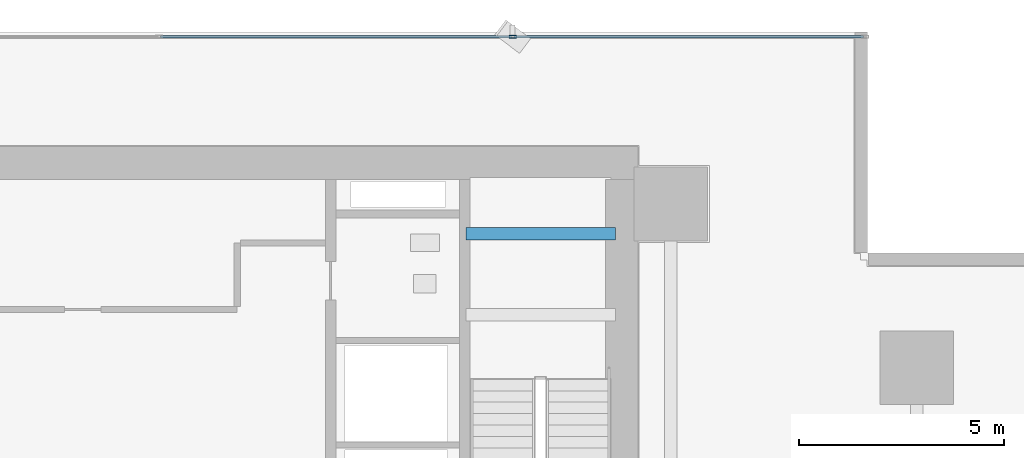
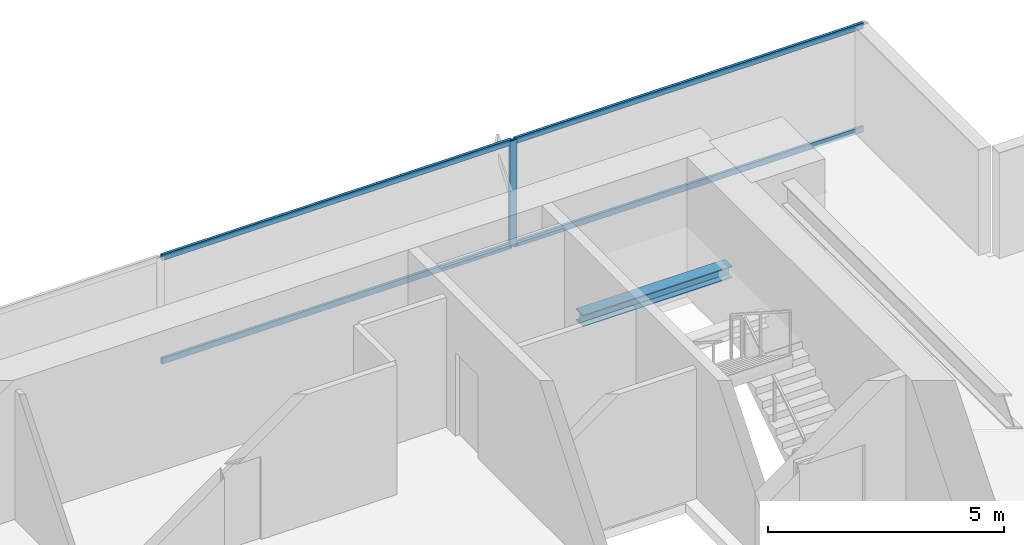
# One storey, part 22 of 33: 5 members, 1 beam, 1 element without a shape of its own.
"""IFC4 building model written with IfcOpenShell, lengths in metres."""

from ifc_helpers import new_model, si_unit, direction, frame, origin, origin_2d, place, context, subcontext, project, spatial, hollow_rectangle, i_section, extrude, source, transform, mapped, material, layer, layer_set, material_profile, profile_set, type_object, element, aggregate, save


model = new_model("IFC4")

# Units and contexts
model_context = context("Model", 3, precision=1e-05, world=origin(), true_north=direction((0.0, 1.0)))
body_context = subcontext(model_context, "Body", "Model", "MODEL_VIEW")
ifc_project = project(units=[si_unit("LENGTHUNIT", "METRE"), si_unit("AREAUNIT", "SQUARE_METRE"), si_unit("VOLUMEUNIT", "CUBIC_METRE"), si_unit("PLANEANGLEUNIT", "RADIAN"), si_unit("MASSUNIT", "GRAM", prefix="KILO")], contexts=[model_context])

# Site, building, storey
site_placement = place(None, origin())
site = spatial("IfcSite", under=ifc_project, at=site_placement, CompositionType="ELEMENT")
building_placement = place(site_placement, origin())
building = spatial("IfcBuilding", under=site, at=building_placement, Name="Sumidabori Civic Tower", CompositionType="ELEMENT")
storey_placement = place(building_placement, frame((0.0, 0.0, 30.800048828125)))
storey = spatial("IfcBuildingStorey", under=building, at=storey_placement, Name="L07", CompositionType="ELEMENT", Elevation=30.800048828125)

# Beam
ifc_material_1 = material(Name="Steel SN490", Category="steel")
ifc_material_profile_1 = material_profile(ifc_material_1, i_section(OverallWidth=0.300048828125, OverallDepth=0.300048828125, WebThickness=0.010986328125, FlangeThickness=0.01904296875, at=origin_2d()), Name="HE 300 B")
ifc_profile_set_1 = profile_set([ifc_material_profile_1], Name="Steel SN490")
beam_type = type_object("IfcBeamType", Name="BM-LDG-300", PredefinedType="BEAM", material=ifc_profile_set_1)
shared_shape_1 = source(origin(), body_context, "Body", "SweptSolid", [
    extrude(i_section(OverallWidth=0.300048828125, OverallDepth=0.300048828125, WebThickness=0.010986328125, FlangeThickness=0.01904296875, at=origin_2d()), origin(), (0.0, 0.0, 1.0), 3.64990234375),
])
beam_placement = place(storey_placement, frame((11.800048828125, 22.069580078125, 1.449951171875), z_axis=(1.0, 0.0, 0.0), x_axis=(0.0, 1.0, 0.0)))
element("IfcBeam", 1, at=beam_placement, inside=storey, type_object=beam_type, Name="Stair ST-2 Landing Trimmer Beam L07-1B", PredefinedType="BEAM", context=body_context, shape_type="MappedRepresentation", body=[
    mapped(shared_shape_1, transform((0.0, 0.0, 0.0), x_axis=(1.0, 0.0, 0.0), y_axis=(0.0, 1.0, 0.0), z_axis=(0.0, 0.0, 1.0), scale=1.0)),
])

# Curtain wall, members
ifc_material_2 = material(Name="Anodised Bronze Aluminium AW-6063-T6", Category="aluminium")
ifc_layer = layer(ifc_material_2, 0.179931640625, Name="Anodised Bronze Aluminium AW-6063-T6")
ifc_layer_set = layer_set([ifc_layer], Name="Anodised Bronze Aluminium AW-6063-T6")
curtain_wall_type = type_object("IfcCurtainWallType", Name="CW-SYS-2", PredefinedType="NOTDEFINED", material=ifc_layer_set)
curtain_wall_placement = place(storey_placement, origin())
curtain_wall = element("IfcCurtainWall", 2, at=curtain_wall_placement, inside=storey, type_object=curtain_wall_type, Name="Curtain Wall CW:L07:R07", PredefinedType="NOTDEFINED")
ifc_material_profile_2 = material_profile(ifc_material_2, hollow_rectangle(XDim=0.070068359375, YDim=0.179931640625, WallThickness=0.006103515625, at=origin_2d()), Name="ALU MULLION 180x70")
ifc_profile_set_2 = profile_set([ifc_material_profile_2], Name="Anodised Bronze Aluminium AW-6063-T6")
member_type_1 = type_object("IfcMemberType", Name="CW-MUL-180", PredefinedType="MULLION", material=ifc_profile_set_2)
shared_shape_2 = source(origin(), body_context, "Body", "SweptSolid", [
    extrude(hollow_rectangle(XDim=0.070068359375, YDim=0.179931640625, WallThickness=0.006103515625, at=origin_2d()), origin(), (0.0, 0.0, 1.0), 2.739990234375),
])
member_1_placement = place(storey_placement, frame((12.94189453125, 26.8798828125, 0.0), z_axis=(0.0, 0.0, 1.0), x_axis=(0.0, -1.0, 0.0)))
member_1 = element("IfcMember", 3, at=member_1_placement, type_object=member_type_1, Name="CW-2 mullion 2", PredefinedType="MULLION", context=body_context, shape_type="MappedRepresentation", body=[
    mapped(shared_shape_2, transform((0.0, 0.0, 0.0), x_axis=(1.0, 0.0, 0.0), y_axis=(0.0, 1.0, 0.0), z_axis=(0.0, 0.0, 1.0), scale=1.0)),
])
ifc_material_profile_3 = material_profile(ifc_material_2, hollow_rectangle(XDim=0.06494140625, YDim=0.14990234375, WallThickness=0.0048828125, at=origin_2d()), Name="ALU TRANSOM 150x65")
ifc_profile_set_3 = profile_set([ifc_material_profile_3], Name="Anodised Bronze Aluminium AW-6063-T6")
member_type_2 = type_object("IfcMemberType", Name="CW-TRN-150", PredefinedType="USERDEFINED", material=ifc_profile_set_3)
shared_shape_3 = source(origin(), body_context, "Body", "SweptSolid", [
    extrude(hollow_rectangle(XDim=0.06494140625, YDim=0.14990234375, WallThickness=0.0048828125, at=origin_2d()), origin(), (0.0, 0.0, 1.0), 8.52294921875),
])
member_2_placement = place(storey_placement, frame((21.5, 26.8798828125, 0.032470703125), z_axis=(-1.0, 0.0, 0.0), x_axis=(0.0, -1.0, 0.0)))
member_2 = element("IfcMember", 4, at=member_2_placement, type_object=member_type_2, Name="CW-2 transom 1.1", ObjectType="TRANSOM", PredefinedType="USERDEFINED", context=body_context, shape_type="MappedRepresentation", body=[
    mapped(shared_shape_3, transform((0.0, 0.0, 0.0), x_axis=(1.0, 0.0, 0.0), y_axis=(0.0, 1.0, 0.0), z_axis=(0.0, 0.0, 1.0), scale=1.0)),
])
member_3_placement = place(storey_placement, frame((21.5, 26.8798828125, 2.70751953125), z_axis=(-1.0, 0.0, 0.0), x_axis=(0.0, -1.0, 0.0)))
member_3 = element("IfcMember", 5, at=member_3_placement, type_object=member_type_2, Name="CW-2 transom 1.2", ObjectType="TRANSOM", PredefinedType="USERDEFINED", context=body_context, shape_type="MappedRepresentation", body=[
    mapped(shared_shape_3, transform((0.0, 0.0, 0.0), x_axis=(1.0, 0.0, 0.0), y_axis=(0.0, 1.0, 0.0), z_axis=(0.0, 0.0, 1.0), scale=1.0)),
])
shared_shape_4 = source(origin(), body_context, "Body", "SweptSolid", [
    extrude(hollow_rectangle(XDim=0.06494140625, YDim=0.14990234375, WallThickness=0.0048828125, at=origin_2d()), origin(), (0.0, 0.0, 1.0), 8.557861328125),
])
member_4_placement = place(storey_placement, frame((12.906982421875, 26.8798828125, 0.032470703125), z_axis=(-1.0, 0.0, 0.0), x_axis=(0.0, -1.0, 0.0)))
member_4 = element("IfcMember", 6, at=member_4_placement, type_object=member_type_2, Name="CW-2 transom 2.1", ObjectType="TRANSOM", PredefinedType="USERDEFINED", context=body_context, shape_type="MappedRepresentation", body=[
    mapped(shared_shape_4, transform((0.0, 0.0, 0.0), x_axis=(1.0, 0.0, 0.0), y_axis=(0.0, 1.0, 0.0), z_axis=(0.0, 0.0, 1.0), scale=1.0)),
])
member_5_placement = place(storey_placement, frame((12.906982421875, 26.8798828125, 2.70751953125), z_axis=(-1.0, 0.0, 0.0), x_axis=(0.0, -1.0, 0.0)))
member_5 = element("IfcMember", 7, at=member_5_placement, type_object=member_type_2, Name="CW-2 transom 2.2", ObjectType="TRANSOM", PredefinedType="USERDEFINED", context=body_context, shape_type="MappedRepresentation", body=[
    mapped(shared_shape_4, transform((0.0, 0.0, 0.0), x_axis=(1.0, 0.0, 0.0), y_axis=(0.0, 1.0, 0.0), z_axis=(0.0, 0.0, 1.0), scale=1.0)),
])
aggregate(curtain_wall, [member_1, member_2, member_3, member_4, member_5])

save(model, "model.ifc")
